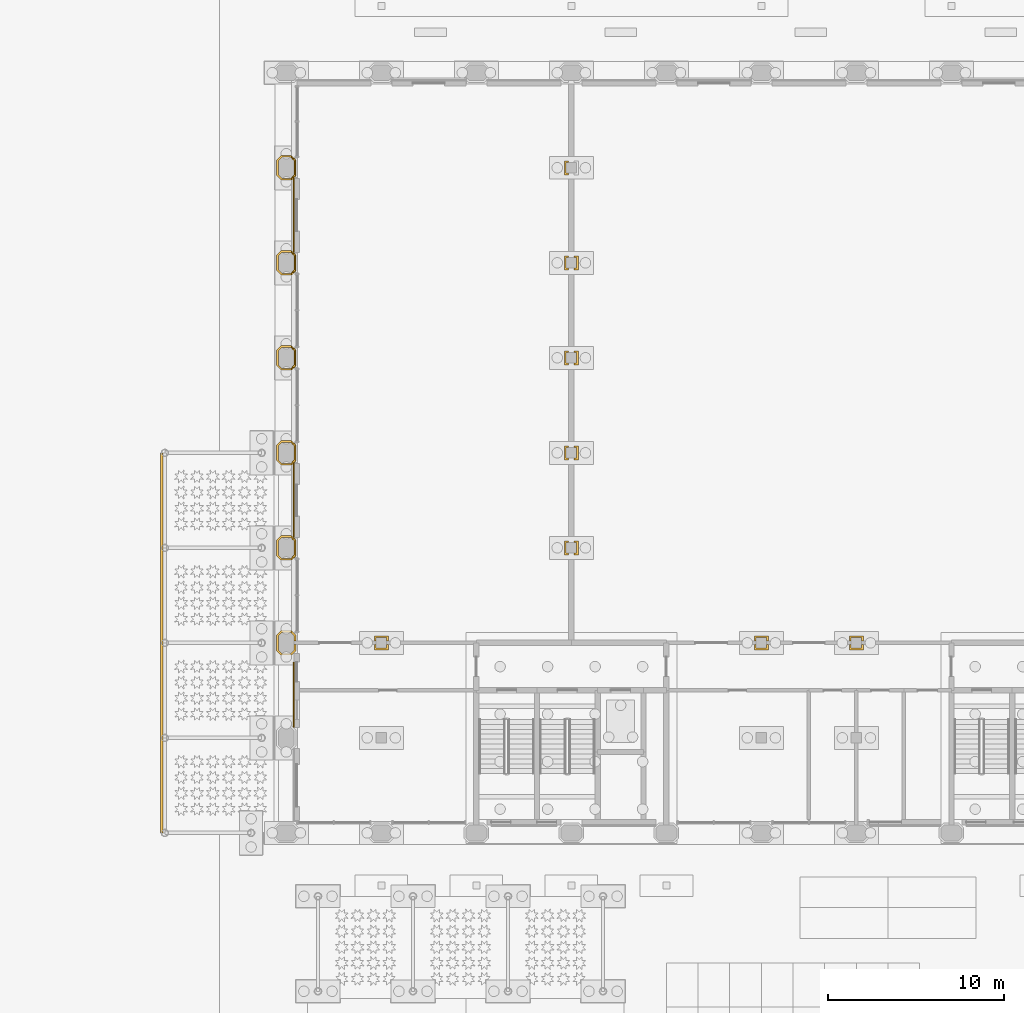
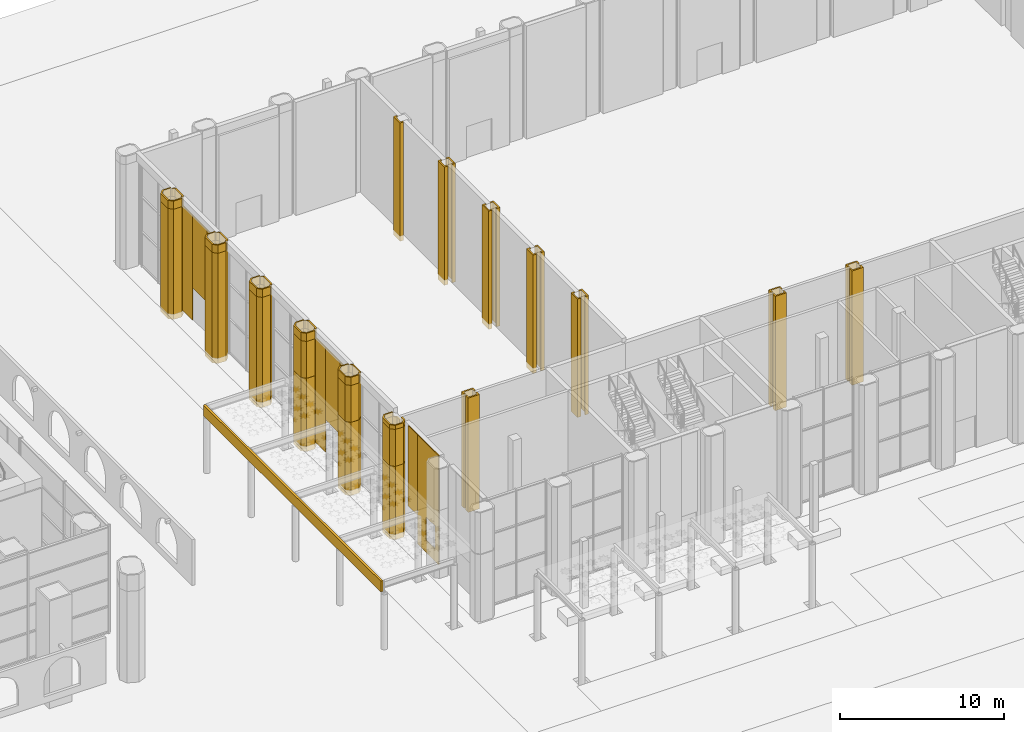
# One storey, part 49 of 54: 44 coverings.
"""IFC4 building model written with IfcOpenShell, lengths in metres."""

from ifc_helpers import new_model, si_unit, direction, frame, frame_2d, origin, place, context, subcontext, project, spatial, polyline, rectangle, outline, extrude, material, layer, layer_set, type_object, element, save


model = new_model("IFC4")

# Units and contexts
model_context = context("Model", 3, precision=1e-05, world=origin(), true_north=direction((0.0, 1.0)))
body_context = subcontext(model_context, "Body", "Model", "MODEL_VIEW")
ifc_project = project(units=[si_unit("LENGTHUNIT", "METRE"), si_unit("AREAUNIT", "SQUARE_METRE"), si_unit("VOLUMEUNIT", "CUBIC_METRE"), si_unit("PLANEANGLEUNIT", "RADIAN"), si_unit("MASSUNIT", "GRAM", prefix="KILO")], contexts=[model_context])

# Site, building, storey
site_placement = place(None, origin())
site = spatial("IfcSite", under=ifc_project, at=site_placement, CompositionType="ELEMENT")
building_placement = place(site_placement, origin())
building = spatial("IfcBuilding", under=site, at=building_placement, Name="Tabaq Tower and Sports Hall", CompositionType="ELEMENT")
storey_placement = place(building_placement, origin())
storey = spatial("IfcBuildingStorey", under=building, at=storey_placement, Name="L00", CompositionType="ELEMENT", Elevation=0.0)

# Coverings
ifc_material_1 = material(Name="Precast concrete C60/75", Category="concrete")
ifc_layer_1 = layer(ifc_material_1, 0.10009765625)
ifc_layer_set_1 = layer_set([ifc_layer_1], Name="Column cladding 100")
covering_type_1 = type_object("IfcCoveringType", Name="Column cladding 100", PredefinedType="CLADDING", material=ifc_layer_set_1)
covering_1_placement = place(storey_placement, frame((0.0, 0.0, -0.39990234375)))
element("IfcCovering", 1, at=covering_1_placement, inside=storey, type_object=covering_type_1, Name="Column cladding L00 HC-13C", PredefinedType="CLADDING", context=body_context, shape_type="SweptSolid", body=[
    extrude(outline(polyline([(64.5087890625, 10.100341796875), (64.250244140625, 10.358642578125), (64.250244140625, 11.2412109375), (64.5087890625, 11.499755859375), (65.09130859375, 11.499755859375), (65.349609375, 11.2412109375), (65.349609375, 10.900390625), (65.250244140625, 10.900390625), (65.250244140625, 11.2001953125), (65.050048828125, 11.400390625), (64.5498046875, 11.400390625), (64.349609375, 11.2001953125), (64.349609375, 10.39990234375), (64.5498046875, 10.19970703125), (65.050048828125, 10.19970703125), (65.250244140625, 10.39990234375), (65.250244140625, 10.69970703125), (65.349609375, 10.69970703125), (65.349609375, 10.358642578125), (65.09130859375, 10.100341796875), (64.5087890625, 10.100341796875)])), origin(), (0.0, 0.0, 1.0), 5.449951171875),
])
covering_2_placement = place(storey_placement, frame((0.0, 0.0, 5.06005859375)))
element("IfcCovering", 2, at=covering_2_placement, inside=storey, type_object=covering_type_1, Name="Column cladding L00 HC-13C 2", PredefinedType="CLADDING", context=body_context, shape_type="SweptSolid", body=[
    extrude(outline(polyline([(64.5087890625, 10.100341796875), (64.250244140625, 10.358642578125), (64.250244140625, 11.2412109375), (64.5087890625, 11.499755859375), (65.09130859375, 11.499755859375), (65.349609375, 11.2412109375), (65.349609375, 10.900390625), (65.250244140625, 10.900390625), (65.250244140625, 11.2001953125), (65.050048828125, 11.400390625), (64.5498046875, 11.400390625), (64.349609375, 11.2001953125), (64.349609375, 10.39990234375), (64.5498046875, 10.19970703125), (65.050048828125, 10.19970703125), (65.250244140625, 10.39990234375), (65.250244140625, 10.69970703125), (65.349609375, 10.69970703125), (65.349609375, 10.358642578125), (65.09130859375, 10.100341796875), (64.5087890625, 10.100341796875)])), origin(), (0.0, 0.0, 1.0), 2.739990234375),
])
covering_3_placement = place(storey_placement, frame((0.0, 0.0, 7.800048828125)))
element("IfcCovering", 3, at=covering_3_placement, inside=storey, type_object=covering_type_1, Name="Column cladding L00 HC-13C head", PredefinedType="CLADDING", context=body_context, shape_type="SweptSolid", body=[
    extrude(outline(polyline([(64.250244140625, 10.358642578125), (64.250244140625, 11.2412109375), (64.5087890625, 11.499755859375), (65.09130859375, 11.499755859375), (65.099609375, 11.4912109375), (65.099609375, 11.350830078125), (65.050048828125, 11.400390625), (64.5498046875, 11.400390625), (64.349609375, 11.2001953125), (64.349609375, 10.39990234375), (64.5498046875, 10.19970703125), (65.050048828125, 10.19970703125), (65.250244140625, 10.39990234375), (65.250244140625, 10.69970703125), (65.349609375, 10.69970703125), (65.349609375, 10.358642578125), (65.09130859375, 10.100341796875), (64.5087890625, 10.100341796875), (64.250244140625, 10.358642578125)])), origin(), (0.0, 0.0, 1.0), 0.300048828125),
])
covering_4_placement = place(storey_placement, frame((0.0, 0.0, -0.39990234375)))
element("IfcCovering", 4, at=covering_4_placement, inside=storey, type_object=covering_type_1, Name="Column cladding L00 HC-13D", PredefinedType="CLADDING", context=body_context, shape_type="SweptSolid", body=[
    extrude(outline(polyline([(65.09130859375, 15.500244140625), (64.5087890625, 15.500244140625), (64.250244140625, 15.7587890625), (64.250244140625, 16.641357421875), (64.5087890625, 16.899658203125), (65.09130859375, 16.899658203125), (65.349609375, 16.641357421875), (65.349609375, 15.7587890625), (65.09130859375, 15.500244140625)]), holes=[polyline([(65.250244140625, 16.60009765625), (65.050048828125, 16.80029296875), (64.5498046875, 16.80029296875), (64.349609375, 16.60009765625), (64.349609375, 15.7998046875), (64.5498046875, 15.599609375), (65.050048828125, 15.599609375), (65.250244140625, 15.7998046875), (65.250244140625, 16.60009765625)])]), origin(), (0.0, 0.0, 1.0), 5.449951171875),
])
covering_5_placement = place(storey_placement, frame((0.0, 0.0, 5.06005859375)))
element("IfcCovering", 5, at=covering_5_placement, inside=storey, type_object=covering_type_1, Name="Column cladding L00 HC-13D 2", PredefinedType="CLADDING", context=body_context, shape_type="SweptSolid", body=[
    extrude(outline(polyline([(65.09130859375, 15.500244140625), (64.5087890625, 15.500244140625), (64.250244140625, 15.7587890625), (64.250244140625, 16.641357421875), (64.5087890625, 16.899658203125), (65.09130859375, 16.899658203125), (65.349609375, 16.641357421875), (65.349609375, 15.7587890625), (65.09130859375, 15.500244140625)]), holes=[polyline([(65.250244140625, 16.60009765625), (65.050048828125, 16.80029296875), (64.5498046875, 16.80029296875), (64.349609375, 16.60009765625), (64.349609375, 15.7998046875), (64.5498046875, 15.599609375), (65.050048828125, 15.599609375), (65.250244140625, 15.7998046875), (65.250244140625, 16.60009765625)])]), origin(), (0.0, 0.0, 1.0), 2.739990234375),
])
covering_6_placement = place(storey_placement, frame((0.0, 0.0, 7.800048828125)))
element("IfcCovering", 6, at=covering_6_placement, inside=storey, type_object=covering_type_1, Name="Column cladding L00 HC-13D head", PredefinedType="CLADDING", context=body_context, shape_type="SweptSolid", body=[
    extrude(outline(polyline([(64.5087890625, 15.500244140625), (64.250244140625, 15.7587890625), (64.250244140625, 16.641357421875), (64.5087890625, 16.899658203125), (65.09130859375, 16.899658203125), (65.099609375, 16.891357421875), (65.099609375, 16.750732421875), (65.050048828125, 16.80029296875), (64.5498046875, 16.80029296875), (64.349609375, 16.60009765625), (64.349609375, 15.7998046875), (64.5498046875, 15.599609375), (65.050048828125, 15.599609375), (65.099609375, 15.649169921875), (65.099609375, 15.5087890625), (65.09130859375, 15.500244140625), (64.5087890625, 15.500244140625)])), origin(), (0.0, 0.0, 1.0), 0.599853515625),
])
covering_7_placement = place(storey_placement, frame((0.0, 0.0, 7.800048828125)))
element("IfcCovering", 7, at=covering_7_placement, inside=storey, type_object=covering_type_1, Name="Column cladding L00 HC-13D head 2", PredefinedType="CLADDING", context=body_context, shape_type="SweptSolid", body=[
    extrude(outline(polyline([(65.349609375, 16.641357421875), (65.349609375, 15.7587890625), (65.2412109375, 15.650390625), (65.100830078125, 15.650390625), (65.250244140625, 15.7998046875), (65.250244140625, 16.60009765625), (65.100830078125, 16.749755859375), (65.2412109375, 16.749755859375), (65.349609375, 16.641357421875)])), origin(), (0.0, 0.0, 1.0), 0.599853515625),
])
covering_8_placement = place(storey_placement, frame((0.0, 0.0, -0.39990234375)))
element("IfcCovering", 8, at=covering_8_placement, inside=storey, type_object=covering_type_1, Name="Column cladding L00 HC-13E", PredefinedType="CLADDING", context=body_context, shape_type="SweptSolid", body=[
    extrude(outline(polyline([(65.09130859375, 20.900390625), (64.5087890625, 20.900390625), (64.250244140625, 21.15869140625), (64.250244140625, 22.041259765625), (64.5087890625, 22.2998046875), (65.09130859375, 22.2998046875), (65.349609375, 22.041259765625), (65.349609375, 21.15869140625), (65.09130859375, 20.900390625)]), holes=[polyline([(65.250244140625, 22.000244140625), (65.050048828125, 22.2001953125), (64.5498046875, 22.2001953125), (64.349609375, 22.000244140625), (64.349609375, 21.199951171875), (64.5498046875, 20.999755859375), (65.050048828125, 20.999755859375), (65.250244140625, 21.199951171875), (65.250244140625, 22.000244140625)])]), origin(), (0.0, 0.0, 1.0), 5.449951171875),
])
covering_9_placement = place(storey_placement, frame((0.0, 0.0, 5.06005859375)))
element("IfcCovering", 9, at=covering_9_placement, inside=storey, type_object=covering_type_1, Name="Column cladding L00 HC-13E 2", PredefinedType="CLADDING", context=body_context, shape_type="SweptSolid", body=[
    extrude(outline(polyline([(65.09130859375, 20.900390625), (64.5087890625, 20.900390625), (64.250244140625, 21.15869140625), (64.250244140625, 22.041259765625), (64.5087890625, 22.2998046875), (65.09130859375, 22.2998046875), (65.349609375, 22.041259765625), (65.349609375, 21.15869140625), (65.09130859375, 20.900390625)]), holes=[polyline([(65.250244140625, 22.000244140625), (65.050048828125, 22.2001953125), (64.5498046875, 22.2001953125), (64.349609375, 22.000244140625), (64.349609375, 21.199951171875), (64.5498046875, 20.999755859375), (65.050048828125, 20.999755859375), (65.250244140625, 21.199951171875), (65.250244140625, 22.000244140625)])]), origin(), (0.0, 0.0, 1.0), 2.739990234375),
])
covering_10_placement = place(storey_placement, frame((0.0, 0.0, 7.800048828125)))
element("IfcCovering", 10, at=covering_10_placement, inside=storey, type_object=covering_type_1, Name="Column cladding L00 HC-13E head", PredefinedType="CLADDING", context=body_context, shape_type="SweptSolid", body=[
    extrude(outline(polyline([(64.5087890625, 20.900390625), (64.250244140625, 21.15869140625), (64.250244140625, 22.041259765625), (64.5087890625, 22.2998046875), (65.09130859375, 22.2998046875), (65.099609375, 22.291259765625), (65.099609375, 22.150634765625), (65.050048828125, 22.2001953125), (64.5498046875, 22.2001953125), (64.349609375, 22.000244140625), (64.349609375, 21.199951171875), (64.5498046875, 20.999755859375), (65.050048828125, 20.999755859375), (65.099609375, 21.04931640625), (65.099609375, 20.90869140625), (65.09130859375, 20.900390625), (64.5087890625, 20.900390625)])), origin(), (0.0, 0.0, 1.0), 0.599853515625),
])
covering_11_placement = place(storey_placement, frame((0.0, 0.0, 7.800048828125)))
element("IfcCovering", 11, at=covering_11_placement, inside=storey, type_object=covering_type_1, Name="Column cladding L00 HC-13E head 2", PredefinedType="CLADDING", context=body_context, shape_type="SweptSolid", body=[
    extrude(outline(polyline([(65.349609375, 22.041259765625), (65.349609375, 21.15869140625), (65.2412109375, 21.05029296875), (65.100830078125, 21.05029296875), (65.250244140625, 21.199951171875), (65.250244140625, 22.000244140625), (65.100830078125, 22.149658203125), (65.2412109375, 22.149658203125), (65.349609375, 22.041259765625)])), origin(), (0.0, 0.0, 1.0), 0.599853515625),
])
covering_12_placement = place(storey_placement, frame((0.0, 0.0, -0.39990234375)))
element("IfcCovering", 12, at=covering_12_placement, inside=storey, type_object=covering_type_1, Name="Column cladding L00 HC-13F", PredefinedType="CLADDING", context=body_context, shape_type="SweptSolid", body=[
    extrude(outline(polyline([(65.09130859375, 26.30029296875), (64.5087890625, 26.30029296875), (64.250244140625, 26.55859375), (64.250244140625, 27.44140625), (64.5087890625, 27.69970703125), (65.09130859375, 27.69970703125), (65.349609375, 27.44140625), (65.349609375, 26.55859375), (65.09130859375, 26.30029296875)]), holes=[polyline([(65.250244140625, 27.400146484375), (65.050048828125, 27.600341796875), (64.5498046875, 27.600341796875), (64.349609375, 27.400146484375), (64.349609375, 26.599853515625), (64.5498046875, 26.399658203125), (65.050048828125, 26.399658203125), (65.250244140625, 26.599853515625), (65.250244140625, 27.400146484375)])]), origin(), (0.0, 0.0, 1.0), 8.199951171875),
])
covering_13_placement = place(storey_placement, frame((0.0, 0.0, 7.800048828125)))
element("IfcCovering", 13, at=covering_13_placement, inside=storey, type_object=covering_type_1, Name="Column cladding L00 HC-13F head", PredefinedType="CLADDING", context=body_context, shape_type="SweptSolid", body=[
    extrude(outline(polyline([(64.5087890625, 26.30029296875), (64.250244140625, 26.55859375), (64.250244140625, 27.44140625), (64.5087890625, 27.69970703125), (65.09130859375, 27.69970703125), (65.099609375, 27.69140625), (65.099609375, 27.55078125), (65.050048828125, 27.600341796875), (64.5498046875, 27.600341796875), (64.349609375, 27.400146484375), (64.349609375, 26.599853515625), (64.5498046875, 26.399658203125), (65.050048828125, 26.399658203125), (65.099609375, 26.44921875), (65.099609375, 26.30859375), (65.09130859375, 26.30029296875), (64.5087890625, 26.30029296875)])), origin(), (0.0, 0.0, 1.0), 0.599853515625),
])
covering_14_placement = place(storey_placement, frame((0.0, 0.0, 7.800048828125)))
element("IfcCovering", 14, at=covering_14_placement, inside=storey, type_object=covering_type_1, Name="Column cladding L00 HC-13F head 2", PredefinedType="CLADDING", context=body_context, shape_type="SweptSolid", body=[
    extrude(outline(polyline([(65.349609375, 27.44140625), (65.349609375, 26.55859375), (65.2412109375, 26.4501953125), (65.100830078125, 26.4501953125), (65.250244140625, 26.599853515625), (65.250244140625, 27.400146484375), (65.100830078125, 27.5498046875), (65.2412109375, 27.5498046875), (65.349609375, 27.44140625)])), origin(), (0.0, 0.0, 1.0), 0.599853515625),
])
covering_15_placement = place(storey_placement, frame((0.0, 0.0, -0.39990234375)))
element("IfcCovering", 15, at=covering_15_placement, inside=storey, type_object=covering_type_1, Name="Column cladding L00 HC-13G", PredefinedType="CLADDING", context=body_context, shape_type="SweptSolid", body=[
    extrude(outline(polyline([(65.09130859375, 31.7001953125), (64.5087890625, 31.7001953125), (64.250244140625, 31.958740234375), (64.250244140625, 32.84130859375), (64.5087890625, 33.099609375), (65.09130859375, 33.099609375), (65.349609375, 32.84130859375), (65.349609375, 31.958740234375), (65.09130859375, 31.7001953125)]), holes=[polyline([(65.250244140625, 32.800048828125), (65.050048828125, 33.000244140625), (64.5498046875, 33.000244140625), (64.349609375, 32.800048828125), (64.349609375, 31.999755859375), (64.5498046875, 31.7998046875), (65.050048828125, 31.7998046875), (65.250244140625, 31.999755859375), (65.250244140625, 32.800048828125)])]), origin(), (0.0, 0.0, 1.0), 8.199951171875),
])
covering_16_placement = place(storey_placement, frame((0.0, 0.0, 7.800048828125)))
element("IfcCovering", 16, at=covering_16_placement, inside=storey, type_object=covering_type_1, Name="Column cladding L00 HC-13G head", PredefinedType="CLADDING", context=body_context, shape_type="SweptSolid", body=[
    extrude(outline(polyline([(64.5087890625, 31.7001953125), (64.250244140625, 31.958740234375), (64.250244140625, 32.84130859375), (64.5087890625, 33.099609375), (65.09130859375, 33.099609375), (65.099609375, 33.09130859375), (65.099609375, 32.95068359375), (65.050048828125, 33.000244140625), (64.5498046875, 33.000244140625), (64.349609375, 32.800048828125), (64.349609375, 31.999755859375), (64.5498046875, 31.7998046875), (65.050048828125, 31.7998046875), (65.099609375, 31.849365234375), (65.099609375, 31.708740234375), (65.09130859375, 31.7001953125), (64.5087890625, 31.7001953125)])), origin(), (0.0, 0.0, 1.0), 0.599853515625),
])
covering_17_placement = place(storey_placement, frame((0.0, 0.0, 7.800048828125)))
element("IfcCovering", 17, at=covering_17_placement, inside=storey, type_object=covering_type_1, Name="Column cladding L00 HC-13G head 2", PredefinedType="CLADDING", context=body_context, shape_type="SweptSolid", body=[
    extrude(outline(polyline([(65.349609375, 32.84130859375), (65.349609375, 31.958740234375), (65.2412109375, 31.850341796875), (65.100830078125, 31.850341796875), (65.250244140625, 31.999755859375), (65.250244140625, 32.800048828125), (65.100830078125, 32.94970703125), (65.2412109375, 32.94970703125), (65.349609375, 32.84130859375)])), origin(), (0.0, 0.0, 1.0), 0.599853515625),
])
covering_18_placement = place(storey_placement, frame((0.0, 0.0, -0.39990234375)))
element("IfcCovering", 18, at=covering_18_placement, inside=storey, type_object=covering_type_1, Name="Column cladding L00 HC-13H", PredefinedType="CLADDING", context=body_context, shape_type="SweptSolid", body=[
    extrude(outline(polyline([(65.09130859375, 37.100341796875), (64.5087890625, 37.100341796875), (64.250244140625, 37.358642578125), (64.250244140625, 38.2412109375), (64.5087890625, 38.499755859375), (65.09130859375, 38.499755859375), (65.349609375, 38.2412109375), (65.349609375, 37.358642578125), (65.09130859375, 37.100341796875)]), holes=[polyline([(65.250244140625, 38.2001953125), (65.050048828125, 38.400390625), (64.5498046875, 38.400390625), (64.349609375, 38.2001953125), (64.349609375, 37.39990234375), (64.5498046875, 37.19970703125), (65.050048828125, 37.19970703125), (65.250244140625, 37.39990234375), (65.250244140625, 38.2001953125)])]), origin(), (0.0, 0.0, 1.0), 8.199951171875),
])
covering_19_placement = place(storey_placement, frame((0.0, 0.0, 7.800048828125)))
element("IfcCovering", 19, at=covering_19_placement, inside=storey, type_object=covering_type_1, Name="Column cladding L00 HC-13H head", PredefinedType="CLADDING", context=body_context, shape_type="SweptSolid", body=[
    extrude(outline(polyline([(64.5087890625, 37.100341796875), (64.250244140625, 37.358642578125), (64.250244140625, 38.2412109375), (64.5087890625, 38.499755859375), (65.09130859375, 38.499755859375), (65.099609375, 38.4912109375), (65.099609375, 38.350830078125), (65.050048828125, 38.400390625), (64.5498046875, 38.400390625), (64.349609375, 38.2001953125), (64.349609375, 37.39990234375), (64.5498046875, 37.19970703125), (65.050048828125, 37.19970703125), (65.099609375, 37.249267578125), (65.099609375, 37.108642578125), (65.09130859375, 37.100341796875), (64.5087890625, 37.100341796875)])), origin(), (0.0, 0.0, 1.0), 0.599853515625),
])
covering_20_placement = place(storey_placement, frame((0.0, 0.0, 7.800048828125)))
element("IfcCovering", 20, at=covering_20_placement, inside=storey, type_object=covering_type_1, Name="Column cladding L00 HC-13H head 2", PredefinedType="CLADDING", context=body_context, shape_type="SweptSolid", body=[
    extrude(outline(polyline([(65.349609375, 38.2412109375), (65.349609375, 37.358642578125), (65.2412109375, 37.250244140625), (65.100830078125, 37.250244140625), (65.250244140625, 37.39990234375), (65.250244140625, 38.2001953125), (65.100830078125, 38.349609375), (65.2412109375, 38.349609375), (65.349609375, 38.2412109375)])), origin(), (0.0, 0.0, 1.0), 0.599853515625),
])
covering_21_placement = place(storey_placement, frame((0.0, 0.0, -0.39990234375)))
element("IfcCovering", 21, at=covering_21_placement, inside=storey, type_object=covering_type_1, Name="Column cladding L00 HC-14C", PredefinedType="CLADDING", context=body_context, shape_type="SweptSolid", body=[
    extrude(outline(polyline([(70.599609375, 10.400390625), (69.80029296875, 10.400390625), (69.80029296875, 10.69970703125), (69.899658203125, 10.69970703125), (69.899658203125, 10.499755859375), (70.500244140625, 10.499755859375), (70.500244140625, 10.69970703125), (70.599609375, 10.69970703125), (70.599609375, 10.400390625)])), origin(), (0.0, 0.0, 1.0), 8.5),
])
covering_22_placement = place(storey_placement, frame((0.0, 0.0, -0.39990234375)))
element("IfcCovering", 22, at=covering_22_placement, inside=storey, type_object=covering_type_1, Name="Column cladding L00 HC-14C 2", PredefinedType="CLADDING", context=body_context, shape_type="SweptSolid", body=[
    extrude(outline(polyline([(70.599609375, 11.19970703125), (70.599609375, 10.900390625), (70.500244140625, 10.900390625), (70.500244140625, 11.100341796875), (69.899658203125, 11.100341796875), (69.899658203125, 10.900390625), (69.80029296875, 10.900390625), (69.80029296875, 11.19970703125), (70.599609375, 11.19970703125)])), origin(), (0.0, 0.0, 1.0), 8.5),
])
covering_23_placement = place(storey_placement, frame((0.0, 0.0, -0.39990234375)))
element("IfcCovering", 23, at=covering_23_placement, inside=storey, type_object=covering_type_1, Name="Column cladding L00 HC-16D", PredefinedType="CLADDING", context=body_context, shape_type="SweptSolid", body=[
    extrude(outline(polyline([(80.849609375, 16.599609375), (80.849609375, 16.500244140625), (80.69970703125, 16.500244140625), (80.69970703125, 15.899658203125), (80.849609375, 15.899658203125), (80.849609375, 15.80029296875), (80.600341796875, 15.80029296875), (80.600341796875, 16.599609375), (80.849609375, 16.599609375)])), origin(), (0.0, 0.0, 1.0), 8.7998046875),
])
covering_24_placement = place(storey_placement, frame((0.0, 0.0, -0.39990234375)))
element("IfcCovering", 24, at=covering_24_placement, inside=storey, type_object=covering_type_1, Name="Column cladding L00 HC-16D 2", PredefinedType="CLADDING", context=body_context, shape_type="SweptSolid", body=[
    extrude(outline(polyline([(81.399658203125, 16.599609375), (81.399658203125, 15.80029296875), (81.150390625, 15.80029296875), (81.150390625, 15.899658203125), (81.30029296875, 15.899658203125), (81.30029296875, 16.500244140625), (81.150390625, 16.500244140625), (81.150390625, 16.599609375), (81.399658203125, 16.599609375)])), origin(), (0.0, 0.0, 1.0), 8.7998046875),
])
covering_25_placement = place(storey_placement, frame((0.0, 0.0, -0.39990234375)))
element("IfcCovering", 25, at=covering_25_placement, inside=storey, type_object=covering_type_1, Name="Column cladding L00 HC-16E", PredefinedType="CLADDING", context=body_context, shape_type="SweptSolid", body=[
    extrude(outline(polyline([(81.399658203125, 21.999755859375), (81.399658203125, 21.2001953125), (81.150390625, 21.2001953125), (81.150390625, 21.2998046875), (81.30029296875, 21.2998046875), (81.30029296875, 21.900390625), (81.150390625, 21.900390625), (81.150390625, 21.999755859375), (81.399658203125, 21.999755859375)])), origin(), (0.0, 0.0, 1.0), 8.7998046875),
])
covering_26_placement = place(storey_placement, frame((0.0, 0.0, -0.39990234375)))
element("IfcCovering", 26, at=covering_26_placement, inside=storey, type_object=covering_type_1, Name="Column cladding L00 HC-16E 2", PredefinedType="CLADDING", context=body_context, shape_type="SweptSolid", body=[
    extrude(outline(polyline([(80.849609375, 21.999755859375), (80.849609375, 21.900390625), (80.69970703125, 21.900390625), (80.69970703125, 21.2998046875), (80.849609375, 21.2998046875), (80.849609375, 21.2001953125), (80.600341796875, 21.2001953125), (80.600341796875, 21.999755859375), (80.849609375, 21.999755859375)])), origin(), (0.0, 0.0, 1.0), 8.7998046875),
])
covering_27_placement = place(storey_placement, frame((0.0, 0.0, -0.39990234375)))
element("IfcCovering", 27, at=covering_27_placement, inside=storey, type_object=covering_type_1, Name="Column cladding L00 HC-16F", PredefinedType="CLADDING", context=body_context, shape_type="SweptSolid", body=[
    extrude(outline(polyline([(81.399658203125, 27.399658203125), (81.399658203125, 26.600341796875), (81.150390625, 26.600341796875), (81.150390625, 26.69970703125), (81.30029296875, 26.69970703125), (81.30029296875, 27.30029296875), (81.150390625, 27.30029296875), (81.150390625, 27.399658203125), (81.399658203125, 27.399658203125)])), origin(), (0.0, 0.0, 1.0), 8.7998046875),
])
covering_28_placement = place(storey_placement, frame((0.0, 0.0, -0.39990234375)))
element("IfcCovering", 28, at=covering_28_placement, inside=storey, type_object=covering_type_1, Name="Column cladding L00 HC-16F 2", PredefinedType="CLADDING", context=body_context, shape_type="SweptSolid", body=[
    extrude(outline(polyline([(80.849609375, 27.399658203125), (80.849609375, 27.30029296875), (80.69970703125, 27.30029296875), (80.69970703125, 26.69970703125), (80.849609375, 26.69970703125), (80.849609375, 26.600341796875), (80.600341796875, 26.600341796875), (80.600341796875, 27.399658203125), (80.849609375, 27.399658203125)])), origin(), (0.0, 0.0, 1.0), 8.7998046875),
])
covering_29_placement = place(storey_placement, frame((0.0, 0.0, -0.39990234375)))
element("IfcCovering", 29, at=covering_29_placement, inside=storey, type_object=covering_type_1, Name="Column cladding L00 HC-16G", PredefinedType="CLADDING", context=body_context, shape_type="SweptSolid", body=[
    extrude(outline(polyline([(80.849609375, 32.7998046875), (80.849609375, 32.7001953125), (80.69970703125, 32.7001953125), (80.69970703125, 32.099609375), (80.849609375, 32.099609375), (80.849609375, 32.000244140625), (80.600341796875, 32.000244140625), (80.600341796875, 32.7998046875), (80.849609375, 32.7998046875)])), origin(), (0.0, 0.0, 1.0), 8.7998046875),
])
covering_30_placement = place(storey_placement, frame((0.0, 0.0, -0.39990234375)))
element("IfcCovering", 30, at=covering_30_placement, inside=storey, type_object=covering_type_1, Name="Column cladding L00 HC-16G 2", PredefinedType="CLADDING", context=body_context, shape_type="SweptSolid", body=[
    extrude(outline(polyline([(81.399658203125, 32.7998046875), (81.399658203125, 32.000244140625), (81.150390625, 32.000244140625), (81.150390625, 32.099609375), (81.30029296875, 32.099609375), (81.30029296875, 32.7001953125), (81.150390625, 32.7001953125), (81.150390625, 32.7998046875), (81.399658203125, 32.7998046875)])), origin(), (0.0, 0.0, 1.0), 8.7998046875),
])
covering_31_placement = place(storey_placement, frame((0.0, 0.0, -0.39990234375)))
element("IfcCovering", 31, at=covering_31_placement, inside=storey, type_object=covering_type_1, Name="Column cladding L00 HC-16H", PredefinedType="CLADDING", context=body_context, shape_type="SweptSolid", body=[
    extrude(outline(polyline([(80.849609375, 38.19970703125), (80.849609375, 38.100341796875), (80.69970703125, 38.100341796875), (80.69970703125, 37.499755859375), (80.849609375, 37.499755859375), (80.849609375, 37.400390625), (80.600341796875, 37.400390625), (80.600341796875, 38.19970703125), (80.849609375, 38.19970703125)])), origin(), (0.0, 0.0, 1.0), 8.7998046875),
])
covering_32_placement = place(storey_placement, frame((0.0, 0.0, -0.39990234375)))
element("IfcCovering", 32, at=covering_32_placement, inside=storey, type_object=covering_type_1, Name="Column cladding L00 HC-18C", PredefinedType="CLADDING", context=body_context, shape_type="SweptSolid", body=[
    extrude(outline(polyline([(92.19970703125, 10.400390625), (91.400390625, 10.400390625), (91.400390625, 10.69970703125), (91.499755859375, 10.69970703125), (91.499755859375, 10.499755859375), (92.100341796875, 10.499755859375), (92.100341796875, 10.69970703125), (92.19970703125, 10.69970703125), (92.19970703125, 10.400390625)])), origin(), (0.0, 0.0, 1.0), 8.5),
])
covering_33_placement = place(storey_placement, frame((0.0, 0.0, -0.39990234375)))
element("IfcCovering", 33, at=covering_33_placement, inside=storey, type_object=covering_type_1, Name="Column cladding L00 HC-18C 2", PredefinedType="CLADDING", context=body_context, shape_type="SweptSolid", body=[
    extrude(outline(polyline([(92.19970703125, 11.19970703125), (92.19970703125, 10.900390625), (92.100341796875, 10.900390625), (92.100341796875, 11.100341796875), (91.499755859375, 11.100341796875), (91.499755859375, 10.900390625), (91.400390625, 10.900390625), (91.400390625, 11.19970703125), (92.19970703125, 11.19970703125)])), origin(), (0.0, 0.0, 1.0), 8.5),
])
covering_34_placement = place(storey_placement, frame((0.0, 0.0, -0.39990234375)))
element("IfcCovering", 34, at=covering_34_placement, inside=storey, type_object=covering_type_1, Name="Column cladding L00 HC-19C", PredefinedType="CLADDING", context=body_context, shape_type="SweptSolid", body=[
    extrude(outline(polyline([(97.599609375, 10.400390625), (96.80029296875, 10.400390625), (96.80029296875, 10.69970703125), (96.899658203125, 10.69970703125), (96.899658203125, 10.499755859375), (97.500244140625, 10.499755859375), (97.500244140625, 10.69970703125), (97.599609375, 10.69970703125), (97.599609375, 10.400390625)])), origin(), (0.0, 0.0, 1.0), 8.5),
])
covering_35_placement = place(storey_placement, frame((0.0, 0.0, -0.39990234375)))
element("IfcCovering", 35, at=covering_35_placement, inside=storey, type_object=covering_type_1, Name="Column cladding L00 HC-19C 2", PredefinedType="CLADDING", context=body_context, shape_type="SweptSolid", body=[
    extrude(outline(polyline([(97.599609375, 11.19970703125), (97.599609375, 10.900390625), (97.500244140625, 10.900390625), (97.500244140625, 11.100341796875), (96.899658203125, 11.100341796875), (96.899658203125, 10.900390625), (96.80029296875, 10.900390625), (96.80029296875, 11.19970703125), (97.599609375, 11.19970703125)])), origin(), (0.0, 0.0, 1.0), 8.5),
])
ifc_material_2 = material(Name="Precast concrete C60/75", Category="concrete")
ifc_layer_2 = layer(ifc_material_2, 0.14990234375)
ifc_layer_set_2 = layer_set([ifc_layer_2], Name="Tray fascia 1200")
covering_type_2 = type_object("IfcCoveringType", Name="Tray fascia 1200", PredefinedType="CLADDING", material=ifc_layer_set_2)
covering_36_placement = place(storey_placement, frame((57.729736328125, 0.0, 4.25), z_axis=(0.0, 0.0, 1.0), x_axis=(0.0, 1.0, 0.0)))
element("IfcCovering", 36, at=covering_36_placement, inside=storey, type_object=covering_type_2, Name="Plaza canopy fascia", PredefinedType="CLADDING", context=body_context, shape_type="SweptSolid", body=[
    extrude(rectangle(XDim=21.60009765625, YDim=0.14990234375, at=frame_2d((10.800048828125, 0.0))), origin(), (0.0, 0.0, 1.0), 0.800048828125),
])
ifc_material_3 = material(Name="Precast concrete C60/75", Category="concrete")
ifc_layer_3 = layer(ifc_material_3, 0.06005859375)
ifc_layer_set_3 = layer_set([ifc_layer_3], Name="White precast cladding panel 60 C60/75")
covering_type_3 = type_object("IfcCoveringType", Name="White precast cladding panel 60 C60/75", PredefinedType="CLADDING", material=ifc_layer_set_3)
covering_37_placement = place(storey_placement, frame((65.219970703125, 6.0, 0.0), z_axis=(0.0, 0.0, 1.0), x_axis=(0.0, 1.0, 0.0)))
element("IfcCovering", 37, at=covering_37_placement, inside=storey, type_object=covering_type_3, Name="White precast cladding panel L00 L00", PredefinedType="CLADDING", context=body_context, shape_type="SweptSolid", body=[
    extrude(outline(polyline([(0.0, 0.0), (2.590087890625, 0.0), (2.590087890625, 8.10009765625), (0.0, 8.10009765625), (0.0, 0.0)]), holes=[polyline([(0.43994140625, 0.889892578125), (0.43994140625, 2.610107421875), (1.56005859375, 2.610107421875), (1.56005859375, 0.889892578125), (0.43994140625, 0.889892578125)])]), frame((0.0, 0.030029296875, 0.0), z_axis=(0.0, -1.0, 0.0), x_axis=(1.0, 0.0, 0.0)), (0.0, 0.0, 1.0), 0.06005859375),
])
covering_38_placement = place(storey_placement, frame((65.219970703125, 8.590087890625, 2.110107421875), z_axis=(0.0, 0.0, 1.0), x_axis=(0.0, 1.0, 0.0)))
element("IfcCovering", 38, at=covering_38_placement, inside=storey, type_object=covering_type_3, Name="White precast cladding panel L00 L00 2", PredefinedType="CLADDING", context=body_context, shape_type="SweptSolid", body=[
    extrude(rectangle(XDim=1.119873046875, YDim=0.06005859375, at=frame_2d((0.56005859375, 0.0))), origin(), (0.0, 0.0, 1.0), 5.989990234375),
])
covering_39_placement = place(storey_placement, frame((65.219970703125, 16.800048828125, 0.0), z_axis=(0.0, 0.0, 1.0), x_axis=(0.0, 1.0, 0.0)))
element("IfcCovering", 39, at=covering_39_placement, inside=storey, type_object=covering_type_3, Name="White precast cladding panel L00 L00", PredefinedType="CLADDING", context=body_context, shape_type="SweptSolid", body=[
    extrude(rectangle(XDim=1.18994140625, YDim=0.06005859375, at=frame_2d((0.594970703125, 0.0))), origin(), (0.0, 0.0, 1.0), 7.800048828125),
])
covering_40_placement = place(storey_placement, frame((65.219970703125, 17.989990234375, 2.409912109375), z_axis=(0.0, 0.0, 1.0), x_axis=(0.0, 1.0, 0.0)))
element("IfcCovering", 40, at=covering_40_placement, inside=storey, type_object=covering_type_3, Name="White precast cladding panel L00 L00 2", PredefinedType="CLADDING", context=body_context, shape_type="SweptSolid", body=[
    extrude(rectangle(XDim=1.820068359375, YDim=0.06005859375, at=frame_2d((0.91015625, 0.0))), origin(), (0.0, 0.0, 1.0), 5.39013671875),
])
for number, where, z_axis, x_axis, name in (
    (41, (65.219970703125, 19.81005859375, 0.0), (0.0, 0.0, 1.0), (0.0, 1.0, 0.0), "White precast cladding panel L00 L00 3"),
    (42, (65.219970703125, 33.0, 0.0), (0.0, 0.0, 1.0), (0.0, 1.0, 0.0), "White precast cladding panel L00 L00"),
):
    element("IfcCovering", number, at=place(storey_placement, frame(where, z_axis=z_axis, x_axis=x_axis)), inside=storey, type_object=covering_type_3, Name=name, PredefinedType="CLADDING", context=body_context, shape_type="SweptSolid", body=[
        extrude(rectangle(XDim=1.18994140625, YDim=0.06005859375, at=frame_2d((0.594970703125, 0.0))), origin(), (0.0, 0.0, 1.0), 7.800048828125),
    ])
covering_41_placement = place(storey_placement, frame((65.219970703125, 34.18994140625, 2.409912109375), z_axis=(0.0, 0.0, 1.0), x_axis=(0.0, 1.0, 0.0)))
element("IfcCovering", 43, at=covering_41_placement, inside=storey, type_object=covering_type_3, Name="White precast cladding panel L00 L00 2", PredefinedType="CLADDING", context=body_context, shape_type="SweptSolid", body=[
    extrude(rectangle(XDim=1.820068359375, YDim=0.06005859375, at=frame_2d((0.91015625, 0.0))), origin(), (0.0, 0.0, 1.0), 5.39013671875),
])
covering_42_placement = place(storey_placement, frame((65.219970703125, 36.010009765625, 0.0), z_axis=(0.0, 0.0, 1.0), x_axis=(0.0, 1.0, 0.0)))
element("IfcCovering", 44, at=covering_42_placement, inside=storey, type_object=covering_type_3, Name="White precast cladding panel L00 L00 3", PredefinedType="CLADDING", context=body_context, shape_type="SweptSolid", body=[
    extrude(rectangle(XDim=1.18994140625, YDim=0.06005859375, at=frame_2d((0.594970703125, 0.0))), origin(), (0.0, 0.0, 1.0), 7.800048828125),
])

save(model, "model.ifc")
